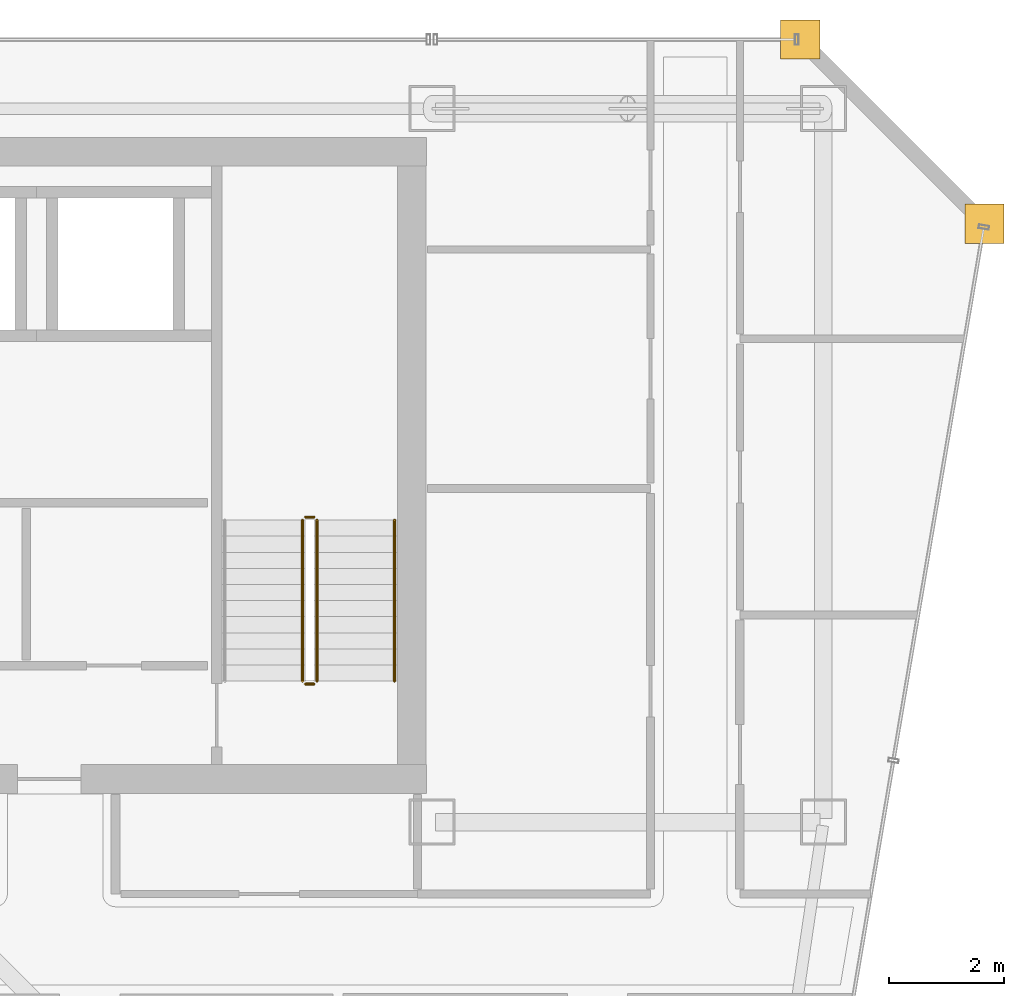
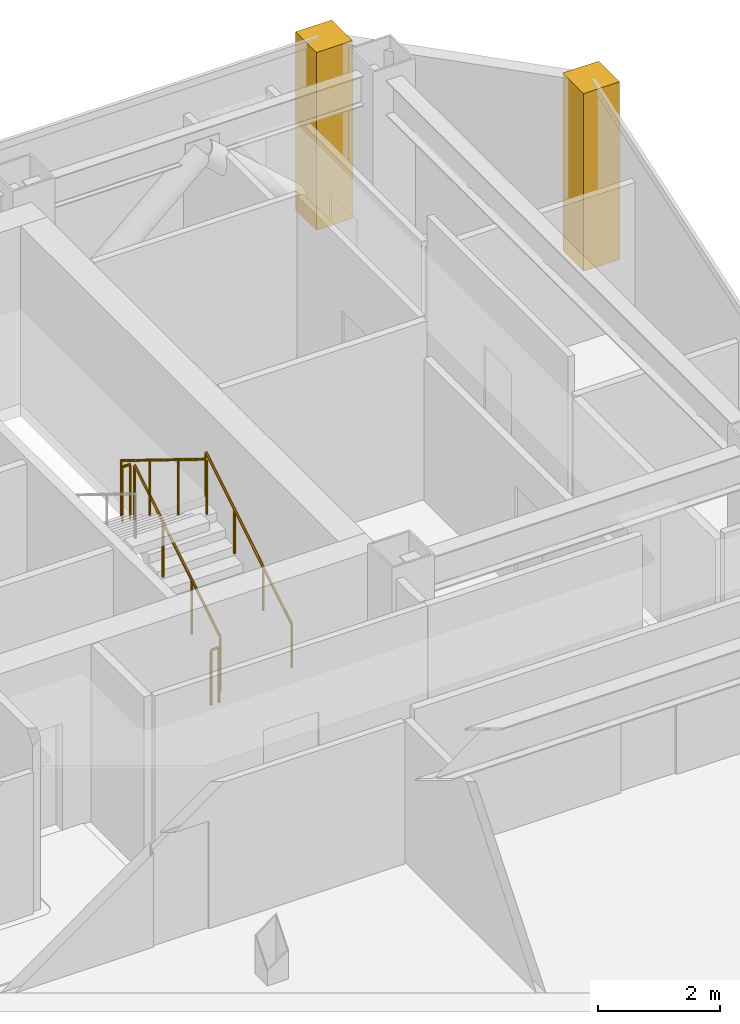
# One storey, part 36 of 36: 5 railings, 2 coverings.
"""IFC4 building model written with IfcOpenShell, lengths in metres."""

from ifc_helpers import new_model, si_unit, direction, frame, origin, origin_2d, place, context, subcontext, project, spatial, polyline, circle, outline, extrude, material, layer, layer_set, type_object, element, save


model = new_model("IFC4")

# Units and contexts
model_context = context("Model", 3, precision=1e-05, world=origin(), true_north=direction((0.0, 1.0)))
body_context = subcontext(model_context, "Body", "Model", "MODEL_VIEW")
ifc_project = project(units=[si_unit("LENGTHUNIT", "METRE"), si_unit("AREAUNIT", "SQUARE_METRE"), si_unit("VOLUMEUNIT", "CUBIC_METRE"), si_unit("PLANEANGLEUNIT", "RADIAN"), si_unit("MASSUNIT", "GRAM", prefix="KILO")], contexts=[model_context])

# Site, building, storey
site_placement = place(None, origin())
site = spatial("IfcSite", under=ifc_project, at=site_placement, CompositionType="ELEMENT")
building_placement = place(site_placement, origin())
building = spatial("IfcBuilding", under=site, at=building_placement, Name="Saevonmaru Cultural Tower", CompositionType="ELEMENT")
storey_placement = place(building_placement, frame((0.0, 0.0, 198.0)))
storey = spatial("IfcBuildingStorey", under=building, at=storey_placement, Name="L45", CompositionType="ELEMENT", Elevation=198.0)

# Coverings
ifc_material_1 = material(Name="Satin Bronze Anodised Aluminium", Category="aluminium")
ifc_layer = layer(ifc_material_1, 0.679931640625, Name="Satin Bronze Anodised Aluminium")
ifc_layer_set = layer_set([ifc_layer], Name="Satin Bronze Anodised Aluminium")
covering_type = type_object("IfcCoveringType", Name="CV-CORNER-CLAD", PredefinedType="CLADDING", material=ifc_layer_set)
covering_1_placement = place(storey_placement, origin())
element("IfcCovering", 1, at=covering_1_placement, inside=storey, type_object=covering_type, Name="L45 Tower Bronze Corner Cladding Pier 9", PredefinedType="CLADDING", context=body_context, shape_type="SweptSolid", body=[
    extrude(outline(polyline([(55.659912109375, 52.4599609375), (56.340087890625, 52.4599609375), (56.340087890625, 53.139892578125), (55.659912109375, 53.139892578125), (55.659912109375, 52.4599609375)])), origin(), (0.0, 0.0, 1.0), 3.550048828125),
])
covering_2_placement = place(storey_placement, origin())
element("IfcCovering", 2, at=covering_2_placement, inside=storey, type_object=covering_type, Name="L45 Tower Bronze Corner Cladding Pier 10", PredefinedType="CLADDING", context=body_context, shape_type="SweptSolid", body=[
    extrude(outline(polyline([(52.4599609375, 55.659912109375), (53.139892578125, 55.659912109375), (53.139892578125, 56.340087890625), (52.4599609375, 56.340087890625), (52.4599609375, 55.659912109375)])), origin(), (0.0, 0.0, 1.0), 3.550048828125),
])

# Railings
ifc_material_2 = material(Name="Architectural Painted Steel", Category="steel")
railing_type_1 = type_object("IfcRailingType", Name="RL-STAIR-GUARD", PredefinedType="GUARDRAIL", material=ifc_material_2)
railing_1_placement = place(storey_placement, frame((44.39990234375, 44.85009765625, 0.172607421875)))
element("IfcRailing", 3, at=railing_1_placement, inside=storey, type_object=railing_type_1, Name="L45 ST-2 stair guard 1", PredefinedType="GUARDRAIL", context=body_context, shape_type="SweptSolid", body=[
    extrude(circle(Radius=0.02392578125, at=origin_2d()), frame((0.0, 0.0, 1.09619140625), z_axis=(0.0, 0.851069175582, 0.525053576669), x_axis=(-1.0, 0.0, 0.0)), (0.0, 0.0, 1.0), 3.289794921875),
    extrude(circle(Radius=0.02099609375, at=origin_2d()), origin(), (0.0, 0.0, 1.0), 1.072021484375),
    extrude(circle(Radius=0.02099609375, at=origin_2d()), frame((0.0, 0.933349609375, 0.57568359375)), (0.0, 0.0, 1.0), 1.072021484375),
    extrude(circle(Radius=0.02099609375, at=origin_2d()), frame((0.0, 1.866455078125, 1.151611328125)), (0.0, 0.0, 1.0), 1.072021484375),
    extrude(circle(Radius=0.02099609375, at=origin_2d()), frame((0.0, 2.7998046875, 1.727294921875)), (0.0, 0.0, 1.0), 1.072021484375),
])
railing_2_placement = place(storey_placement, frame((44.35009765625, 47.699951171875, 1.89990234375)))
element("IfcRailing", 4, at=railing_2_placement, inside=storey, type_object=railing_type_1, Name="L45 ST-2 stair guard 2", PredefinedType="GUARDRAIL", context=body_context, shape_type="SweptSolid", body=[
    extrude(circle(Radius=0.02392578125, at=origin_2d()), frame((0.0, 0.0, 1.09619140625), z_axis=(-1.0, 0.0, 0.0), x_axis=(0.0, -1.0, 0.0)), (0.0, 0.0, 1.0), 0.150146484375),
    extrude(circle(Radius=0.02099609375, at=origin_2d()), origin(), (0.0, 0.0, 1.0), 1.072021484375),
    extrude(circle(Radius=0.02099609375, at=origin_2d()), frame((-0.150146484375, 0.0, 0.0)), (0.0, 0.0, 1.0), 1.072021484375),
])
railing_3_placement = place(storey_placement, frame((44.14990234375, 47.64990234375, 2.07275390625)))
element("IfcRailing", 5, at=railing_3_placement, inside=storey, type_object=railing_type_1, Name="L45 ST-2 stair guard 3", PredefinedType="GUARDRAIL", context=body_context, shape_type="SweptSolid", body=[
    extrude(circle(Radius=0.02392578125, at=origin_2d()), frame((0.0, 0.0, 1.09619140625), z_axis=(0.0, -0.851069175582, 0.525053576669), x_axis=(1.0, 0.0, 0.0)), (0.0, 0.0, 1.0), 3.289794921875),
    extrude(circle(Radius=0.02099609375, at=origin_2d()), origin(), (0.0, 0.0, 1.0), 1.072021484375),
    extrude(circle(Radius=0.02099609375, at=origin_2d()), frame((0.0, -0.933349609375, 0.57568359375)), (0.0, 0.0, 1.0), 1.072021484375),
    extrude(circle(Radius=0.02099609375, at=origin_2d()), frame((0.0, -1.866455078125, 1.151611328125)), (0.0, 0.0, 1.0), 1.072021484375),
    extrude(circle(Radius=0.02099609375, at=origin_2d()), frame((0.0, -2.7998046875, 1.727294921875)), (0.0, 0.0, 1.0), 1.072021484375),
])
railing_4_placement = place(storey_placement, frame((44.35009765625, 44.800048828125, 0.0)))
element("IfcRailing", 6, at=railing_4_placement, inside=storey, type_object=railing_type_1, Name="L45 ST-2 stair guard 4", PredefinedType="GUARDRAIL", context=body_context, shape_type="SweptSolid", body=[
    extrude(circle(Radius=0.02392578125, at=origin_2d()), frame((0.0, 0.0, 1.09619140625), z_axis=(-1.0, 0.0, 0.0), x_axis=(0.0, -1.0, 0.0)), (0.0, 0.0, 1.0), 0.150146484375),
    extrude(circle(Radius=0.02099609375, at=origin_2d()), origin(), (0.0, 0.0, 1.0), 1.072021484375),
    extrude(circle(Radius=0.02099609375, at=origin_2d()), frame((-0.150146484375, 0.0, 0.0)), (0.0, 0.0, 1.0), 1.072021484375),
])
railing_type_2 = type_object("IfcRailingType", Name="RL-STAIR-HANDRAIL", PredefinedType="HANDRAIL", material=ifc_material_1)
railing_5_placement = place(storey_placement, frame((45.75, 44.85009765625, 0.172607421875)))
element("IfcRailing", 7, at=railing_5_placement, inside=storey, type_object=railing_type_2, Name="L45 ST-2 stair handrail 1", PredefinedType="HANDRAIL", context=body_context, shape_type="SweptSolid", body=[
    extrude(circle(Radius=0.02392578125, at=origin_2d()), frame((0.0, 0.0, 0.8759765625), z_axis=(0.0, 0.851069175582, 0.525053576669), x_axis=(-1.0, 0.0, 0.0)), (0.0, 0.0, 1.0), 3.289794921875),
    extrude(circle(Radius=0.02099609375, at=origin_2d()), origin(), (0.0, 0.0, 1.0), 0.851806640625),
    extrude(circle(Radius=0.02099609375, at=origin_2d()), frame((0.0, 0.933349609375, 0.57568359375)), (0.0, 0.0, 1.0), 0.851806640625),
    extrude(circle(Radius=0.02099609375, at=origin_2d()), frame((0.0, 1.866455078125, 1.151611328125)), (0.0, 0.0, 1.0), 0.851806640625),
    extrude(circle(Radius=0.02099609375, at=origin_2d()), frame((0.0, 2.7998046875, 1.727294921875)), (0.0, 0.0, 1.0), 0.851806640625),
])

save(model, "model.ifc")
